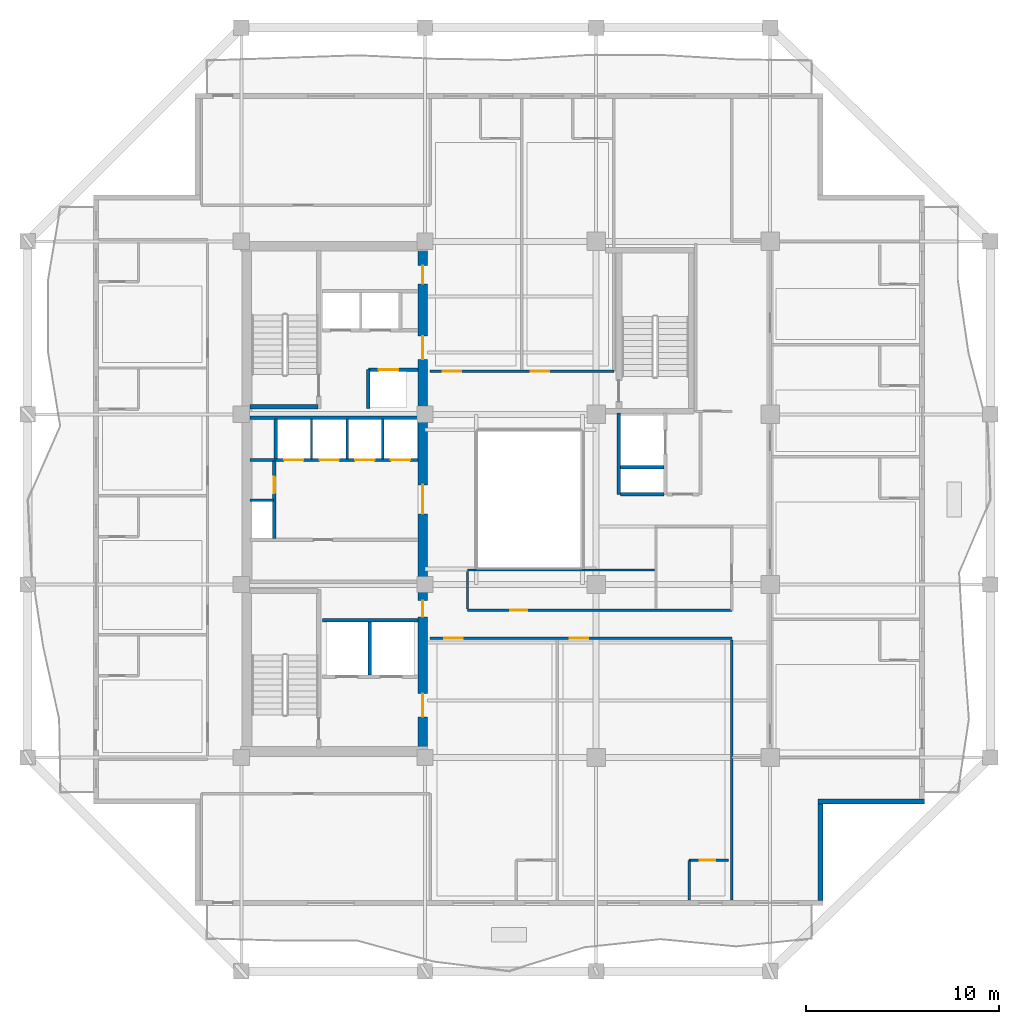
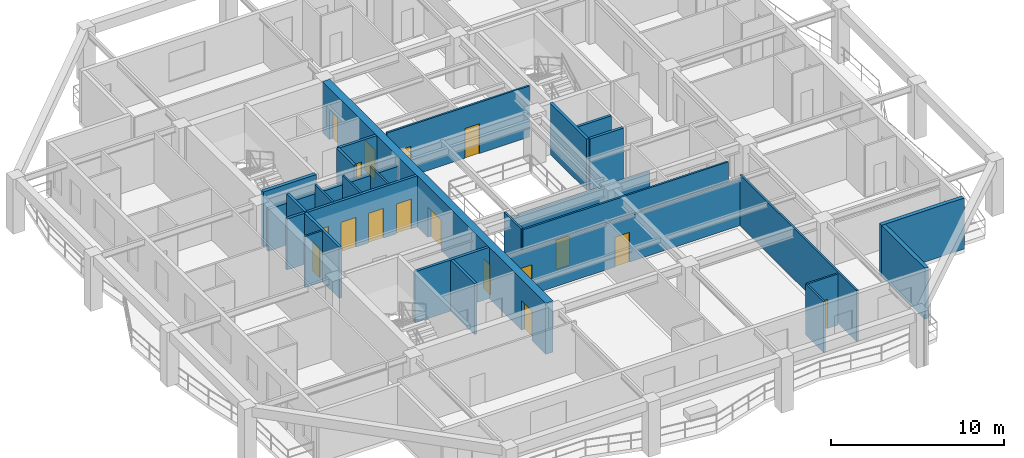
# One storey, part 4 of 13: 27 walls, 17 doors, 17 openings.
"""IFC4 building model written with IfcOpenShell, lengths in metres."""

from ifc_helpers import new_model, si_unit, direction, frame, frame_2d, origin, place, context, subcontext, project, spatial, rectangle, extrude, material, layer, layer_set, type_object, element, fill, save


model = new_model("IFC4")

# Units and contexts
model_context = context("Model", 3, precision=1e-05, world=origin(), true_north=direction((0.0, 1.0)))
body_context = subcontext(model_context, "Body", "Model", "MODEL_VIEW")
ifc_project = project(units=[si_unit("LENGTHUNIT", "METRE"), si_unit("AREAUNIT", "SQUARE_METRE"), si_unit("VOLUMEUNIT", "CUBIC_METRE"), si_unit("PLANEANGLEUNIT", "RADIAN"), si_unit("MASSUNIT", "GRAM", prefix="KILO")], contexts=[model_context])

# Site, building, storey
site_placement = place(None, origin())
site = spatial("IfcSite", under=ifc_project, at=site_placement, CompositionType="ELEMENT")
building_placement = place(site_placement, origin())
building = spatial("IfcBuilding", under=site, at=building_placement, Name="Kundavana Baori Tower", CompositionType="ELEMENT")
storey_placement = place(building_placement, frame((0.0, 0.0, 161.75)))
storey = spatial("IfcBuildingStorey", under=building, at=storey_placement, Name="L39", CompositionType="ELEMENT", Elevation=161.75)

# Wall
ifc_material_1 = material(Name="Concrete C50/60", Category="concrete")
ifc_layer_1 = layer(ifc_material_1, 0.39990234375, Name="WL-CORE-400")
ifc_layer_set_1 = layer_set([ifc_layer_1], Name="Concrete C50/60")
wall_type_1 = type_object("IfcWallType", Name="WL-CORE-400", PredefinedType="SHEAR", material=ifc_layer_set_1)
wall_1_placement = place(storey_placement, frame((15.89990234375, 33.389892578125, 0.0), z_axis=(0.0, 0.0, 1.0), x_axis=(1.0, 0.0, 0.0)))
element("IfcWall", 1, at=wall_1_placement, inside=storey, type_object=wall_type_1, Name="WL-L39-ST2-S", PredefinedType="SHEAR", context=body_context, shape_type="SweptSolid", body=[
    extrude(rectangle(XDim=3.52001953125, YDim=0.239990234375, at=frame_2d((1.760009765625, 0.0))), origin(), (0.0, 0.0, 1.0), 3.85009765625),
])

# Wall, openings, doors
ifc_material_2 = material(Name="Concrete C50/60", Category="concrete")
ifc_layer_2 = layer(ifc_material_2, 0.5, Name="WL-CORE-500")
ifc_layer_set_2 = layer_set([ifc_layer_2], Name="Concrete C50/60")
wall_type_2 = type_object("IfcWallType", Name="WL-CORE-500", PredefinedType="SHEAR", material=ifc_layer_set_2)
wall_2_placement = place(storey_placement, frame((24.830078125, 15.739990234375, 0.0), z_axis=(0.0, 0.0, 1.0), x_axis=(0.0, 1.0, 0.0)))
wall_2 = element("IfcWall", 2, at=wall_2_placement, inside=storey, type_object=wall_type_2, Name="L39 Offset Core East Shear Wall", PredefinedType="SHEAR", context=body_context, shape_type="SweptSolid", body=[
    extrude(rectangle(XDim=25.760009765625, YDim=0.5, at=frame_2d((12.8798828125, 0.0))), origin(), (0.0, 0.0, 1.0), 3.60009765625),
])
opening_1_placement = place(wall_2_placement, frame((1.610107421875, 0.0, 0.0)))
opening_1 = element("IfcOpeningElement", 3, at=opening_1_placement, cuts=wall_2, Name="Opening FD-120", PredefinedType="OPENING", context=body_context, shape_type="SweptSolid", body=[
    extrude(rectangle(XDim=1.199951171875, YDim=2.10009765625, at=frame_2d((0.60009765625, 1.050048828125))), frame((0.0, 0.260009765625, 0.0), z_axis=(0.0, -1.0, 0.0), x_axis=(1.0, 0.0, 0.0)), (0.0, 0.0, 1.0), 0.52001953125),
])
opening_2_placement = place(wall_2_placement, frame((6.780029296875, 0.0, 0.0)))
opening_2 = element("IfcOpeningElement", 4, at=opening_2_placement, cuts=wall_2, Name="Opening FD-085", PredefinedType="OPENING", context=body_context, shape_type="SweptSolid", body=[
    extrude(rectangle(XDim=0.85009765625, YDim=2.06005859375, at=frame_2d((0.425048828125, 1.030029296875))), frame((0.0, 0.260009765625, 0.0), z_axis=(0.0, -1.0, 0.0), x_axis=(1.0, 0.0, 0.0)), (0.0, 0.0, 1.0), 0.52001953125),
])
opening_3_placement = place(wall_2_placement, frame((12.110107421875, 0.0, 0.0)))
opening_3 = element("IfcOpeningElement", 5, at=opening_3_placement, cuts=wall_2, Name="Opening FD-150", PredefinedType="OPENING", context=body_context, shape_type="SweptSolid", body=[
    extrude(rectangle(XDim=1.5, YDim=2.1201171875, at=frame_2d((0.75, 1.06005859375))), frame((0.0, 0.260009765625, 0.0), z_axis=(0.0, -1.0, 0.0), x_axis=(1.0, 0.0, 0.0)), (0.0, 0.0, 1.0), 0.52001953125),
])
opening_4_placement = place(wall_2_placement, frame((20.110107421875, 0.0, 0.0)))
opening_4 = element("IfcOpeningElement", 6, at=opening_4_placement, cuts=wall_2, Name="Opening FD-122", PredefinedType="OPENING", context=body_context, shape_type="SweptSolid", body=[
    extrude(rectangle(XDim=1.199951171875, YDim=2.1201171875, at=frame_2d((0.60009765625, 1.06005859375))), frame((0.0, 0.260009765625, 0.0), z_axis=(0.0, -1.0, 0.0), x_axis=(1.0, 0.0, 0.0)), (0.0, 0.0, 1.0), 0.52001953125),
])
opening_5_placement = place(wall_2_placement, frame((24.010009765625, 0.0, 0.0)))
opening_5 = element("IfcOpeningElement", 7, at=opening_5_placement, cuts=wall_2, Name="Opening FD-095", PredefinedType="OPENING", context=body_context, shape_type="SweptSolid", body=[
    extrude(rectangle(XDim=0.949951171875, YDim=2.10009765625, at=frame_2d((0.47509765625, 1.050048828125))), frame((0.0, 0.260009765625, 0.0), z_axis=(0.0, -1.0, 0.0), x_axis=(1.0, 0.0, 0.0)), (0.0, 0.0, 1.0), 0.52001953125),
])
ifc_material_3 = material(Name="Galvanised Steel Fire-Rated Door Leaf", Category="steel")
door_type_1 = type_object("IfcDoorType", Name="DR-FD120-1200", OperationType="NOTDEFINED", PredefinedType="DOOR", material=ifc_material_3)
door_1_placement = place(opening_1_placement, frame((1.199951171875, 0.0, 0.0), z_axis=(0.0, 0.0, 1.0), x_axis=(-1.0, 0.0, 0.0)))
door_1 = element("IfcDoor", 8, at=door_1_placement, inside=storey, type_object=door_type_1, Name="DR-L39-FFLOB-E", OperationType="SINGLE_SWING_RIGHT", OverallHeight=2.10009765625, OverallWidth=1.199951171875, PredefinedType="DOOR", context=body_context, shape_type="SweptSolid", body=[
    extrude(rectangle(XDim=1.199951171875, YDim=2.10009765625, at=frame_2d((0.60009765625, 1.050048828125))), frame((0.0, 0.02490234375, 0.0), z_axis=(0.0, -1.0, 0.0), x_axis=(1.0, 0.0, 0.0)), (0.0, 0.0, 1.0), 0.050048828125),
])
fill(opening_1, door_1)
ifc_material_4 = material(Name="Galvanised Steel Fire-Rated Door Leaf", Category="steel")
door_type_2 = type_object("IfcDoorType", Name="DR-FD60-1200", OperationType="NOTDEFINED", PredefinedType="DOOR", material=ifc_material_4)
door_2_placement = place(opening_4_placement, frame((1.199951171875, 0.0, 0.0), z_axis=(0.0, 0.0, 1.0), x_axis=(-1.0, 0.0, 0.0)))
door_2 = element("IfcDoor", 9, at=door_2_placement, inside=storey, type_object=door_type_2, Name="DR-L39-HRLOB-E", OperationType="SINGLE_SWING_RIGHT", OverallHeight=2.1201171875, OverallWidth=1.199951171875, PredefinedType="DOOR", context=body_context, shape_type="SweptSolid", body=[
    extrude(rectangle(XDim=1.199951171875, YDim=2.1201171875, at=frame_2d((0.60009765625, 1.06005859375))), frame((0.0, 0.02490234375, 0.0), z_axis=(0.0, -1.0, 0.0), x_axis=(1.0, 0.0, 0.0)), (0.0, 0.0, 1.0), 0.050048828125),
])
fill(opening_4, door_2)
ifc_material_5 = material(Name="Galvanised Steel Fire-Rated Door Leaf", Category="steel")
door_type_3 = type_object("IfcDoorType", Name="DR-FD60-1500", OperationType="NOTDEFINED", PredefinedType="DOOR", material=ifc_material_5)
door_3_placement = place(opening_3_placement, frame((1.5, 0.0, 0.0), z_axis=(0.0, 0.0, 1.0), x_axis=(-1.0, 0.0, 0.0)))
door_3 = element("IfcDoor", 10, at=door_3_placement, inside=storey, type_object=door_type_3, Name="DR-L39-LIFTHALL-E", OperationType="SINGLE_SWING_LEFT", OverallHeight=2.1201171875, OverallWidth=1.5, PredefinedType="DOOR", context=body_context, shape_type="SweptSolid", body=[
    extrude(rectangle(XDim=1.5, YDim=2.1201171875, at=frame_2d((0.75, 1.06005859375))), frame((0.0, 0.02490234375, 0.0), z_axis=(0.0, -1.0, 0.0), x_axis=(1.0, 0.0, 0.0)), (0.0, 0.0, 1.0), 0.050048828125),
])
fill(opening_3, door_3)
ifc_material_6 = material(Name="Galvanised Steel Fire-Rated Door Leaf", Category="steel")
door_type_4 = type_object("IfcDoorType", Name="DR-FD60-850", OperationType="NOTDEFINED", PredefinedType="DOOR", material=ifc_material_6)
door_4_placement = place(opening_2_placement, frame((0.85009765625, 0.0, 0.0), z_axis=(0.0, 0.0, 1.0), x_axis=(-1.0, 0.0, 0.0)))
door_4 = element("IfcDoor", 11, at=door_4_placement, inside=storey, type_object=door_type_4, Name="DR-L39-CSMK1", OperationType="SINGLE_SWING_LEFT", OverallHeight=2.06005859375, OverallWidth=0.85009765625, PredefinedType="DOOR", context=body_context, shape_type="SweptSolid", body=[
    extrude(rectangle(XDim=0.85009765625, YDim=2.06005859375, at=frame_2d((0.425048828125, 1.030029296875))), frame((0.0, 0.02490234375, 0.0), z_axis=(0.0, -1.0, 0.0), x_axis=(1.0, 0.0, 0.0)), (0.0, 0.0, 1.0), 0.050048828125),
])
fill(opening_2, door_4)
ifc_material_7 = material(Name="Engineered Teak Fire-Rated Timber Door Leaf", Category="wood")
door_type_5 = type_object("IfcDoorType", Name="DR-FD60-950", OperationType="NOTDEFINED", PredefinedType="DOOR", material=ifc_material_7)
door_5_placement = place(opening_5_placement, frame((0.949951171875, 0.0, 0.0), z_axis=(0.0, 0.0, 1.0), x_axis=(-1.0, 0.0, 0.0)))
door_5 = element("IfcDoor", 12, at=door_5_placement, inside=storey, type_object=door_type_5, Name="DR-L39-CSRV1", OperationType="SINGLE_SWING_LEFT", OverallHeight=2.10009765625, OverallWidth=0.949951171875, PredefinedType="DOOR", context=body_context, shape_type="SweptSolid", body=[
    extrude(rectangle(XDim=0.949951171875, YDim=2.10009765625, at=frame_2d((0.47509765625, 1.050048828125))), frame((0.0, 0.02490234375, 0.0), z_axis=(0.0, -1.0, 0.0), x_axis=(1.0, 0.0, 0.0)), (0.0, 0.0, 1.0), 0.050048828125),
])
fill(opening_5, door_5)

# Walls
ifc_material_8 = material(Name="Kiln-Fired Terracotta Brick-Slip Masonry on Concrete C40/50", Category="masonry")
ifc_layer_3 = layer(ifc_material_8, 0.260009765625, Name="WL-EXT-BRK-260")
ifc_layer_set_3 = layer_set([ifc_layer_3], Name="Kiln-Fired Terracotta Brick-Slip Masonry on Concrete C40/50")
wall_type_3 = type_object("IfcWallType", Name="WL-EXT-BRK-260", PredefinedType="SOLIDWALL", material=ifc_layer_set_3)
wall_3_placement = place(storey_placement, frame((45.419921875, 7.860107421875, 0.0), z_axis=(0.0, 0.0, 1.0), x_axis=(0.0, 1.0, 0.0)))
element("IfcWall", 13, at=wall_3_placement, inside=storey, type_object=wall_type_3, Name="L39 Exterior Insulated Facade Wall 02", PredefinedType="SOLIDWALL", context=body_context, shape_type="SweptSolid", body=[
    extrude(rectangle(XDim=4.989990234375, YDim=0.260009765625, at=frame_2d((2.4951171875, 0.0))), origin(), (0.0, 0.0, 1.0), 3.60009765625),
])
wall_4_placement = place(storey_placement, frame((45.2900390625, 12.97998046875, 0.0), z_axis=(0.0, 0.0, 1.0), x_axis=(1.0, 0.0, 0.0)))
element("IfcWall", 14, at=wall_4_placement, inside=storey, type_object=wall_type_3, Name="L39 Exterior Insulated Facade Wall 03", PredefinedType="SOLIDWALL", context=body_context, shape_type="SweptSolid", body=[
    extrude(rectangle(XDim=5.510009765625, YDim=0.260009765625, at=frame_2d((2.7548828125, 0.0))), origin(), (0.0, 0.0, 1.0), 3.60009765625),
])
ifc_material_9 = material(Name="Acoustic Gypsum Plasterboard on Galvanised Steel Studs", Category="steel")
ifc_layer_4 = layer(ifc_material_9, 0.1201171875, Name="WL-PART-120")
ifc_layer_set_4 = layer_set([ifc_layer_4], Name="Acoustic Gypsum Plasterboard on Galvanised Steel Studs")
wall_type_4 = type_object("IfcWallType", Name="WL-PART-120", PredefinedType="PARTITIONING", material=ifc_layer_set_4)
wall_5_placement = place(storey_placement, frame((15.89990234375, 28.56005859375, 0.0), z_axis=(0.0, 0.0, 1.0), x_axis=(1.0, 0.0, 0.0)))
element("IfcWall", 15, at=wall_5_placement, inside=storey, type_object=wall_type_4, Name="WL-L39-RSRW-N", PredefinedType="PARTITIONING", context=body_context, shape_type="SweptSolid", body=[
    extrude(rectangle(XDim=1.2001953125, YDim=0.1201171875, at=frame_2d((0.60009765625, 0.0))), origin(), (0.0, 0.0, 1.0), 3.60009765625),
])
for number, where, z_axis, x_axis, name in (
    (16, (19.080078125, 30.699951171875, 0.0), (0.0, 0.0, 1.0), (0.0, 1.0, 0.0), "WL-L39-LPMID-D1"),
    (17, (20.919921875, 30.699951171875, 0.0), (0.0, 0.0, 1.0), (0.0, 1.0, 0.0), "WL-L39-LPMID-D2"),
    (18, (22.760009765625, 30.699951171875, 0.0), (0.0, 0.0, 1.0), (0.0, 1.0, 0.0), "WL-L39-LPMID-D3"),
):
    element("IfcWall", number, at=place(storey_placement, frame(where, z_axis=z_axis, x_axis=x_axis)), inside=storey, type_object=wall_type_4, Name=name, PredefinedType="PARTITIONING", context=body_context, shape_type="SweptSolid", body=[
        extrude(rectangle(XDim=2.050048828125, YDim=0.1201171875, at=frame_2d((1.02490234375, 0.0))), origin(), (0.0, 0.0, 1.0), 3.60009765625),
    ])
ifc_material_10 = material(Name="Autoclaved Aerated Concrete Blockwork Masonry", Category="masonry")
ifc_layer_5 = layer(ifc_material_10, 0.179931640625, Name="WL-SHAFT-180")
ifc_layer_set_5 = layer_set([ifc_layer_5], Name="Autoclaved Aerated Concrete Blockwork Masonry")
wall_type_5 = type_object("IfcWallType", Name="WL-SHAFT-180", PredefinedType="SOLIDWALL", material=ifc_layer_set_5)
wall_6_placement = place(storey_placement, frame((22.10009765625, 19.510009765625, 0.0), z_axis=(0.0, 0.0, 1.0), x_axis=(0.0, 1.0, 0.0)))
element("IfcWall", 19, at=wall_6_placement, inside=storey, type_object=wall_type_5, Name="WL-L39-FFL-MID", PredefinedType="SOLIDWALL", context=body_context, shape_type="SweptSolid", body=[
    extrude(rectangle(XDim=2.739990234375, YDim=0.179931640625, at=frame_2d((1.3701171875, 0.0))), origin(), (0.0, 0.0, 1.0), 3.60009765625),
])
wall_7_placement = place(storey_placement, frame((19.639892578125, 22.340087890625, 0.0), z_axis=(0.0, 0.0, 1.0), x_axis=(1.0, 0.0, 0.0)))
element("IfcWall", 20, at=wall_7_placement, inside=storey, type_object=wall_type_5, Name="WL-L39-FFL-N", PredefinedType="SOLIDWALL", context=body_context, shape_type="SweptSolid", body=[
    extrude(rectangle(XDim=4.940185546875, YDim=0.179931640625, at=frame_2d((2.47021484375, 0.0))), origin(), (0.0, 0.0, 1.0), 3.60009765625),
])

# Wall, opening, door
wall_8_placement = place(storey_placement, frame((17.159912109375, 26.580078125, 0.0), z_axis=(0.0, 0.0, 1.0), x_axis=(0.0, 1.0, 0.0)))
wall_8 = element("IfcWall", 21, at=wall_8_placement, inside=storey, type_object=wall_type_5, Name="WL-L39-RSRW-E", PredefinedType="SOLIDWALL", context=body_context, shape_type="SweptSolid", body=[
    extrude(rectangle(XDim=4.02001953125, YDim=0.179931640625, at=frame_2d((2.010009765625, 0.0))), origin(), (0.0, 0.0, 1.0), 3.60009765625),
])
opening_6_placement = place(wall_8_placement, frame((2.35009765625, 0.0, 0.0)))
opening_6 = element("IfcOpeningElement", 22, at=opening_6_placement, cuts=wall_8, Name="Opening FD-085", PredefinedType="OPENING", context=body_context, shape_type="SweptSolid", body=[
    extrude(rectangle(XDim=0.85009765625, YDim=2.06005859375, at=frame_2d((0.425048828125, 1.030029296875))), frame((0.0, 0.10009765625, 0.0), z_axis=(0.0, -1.0, 0.0), x_axis=(1.0, 0.0, 0.0)), (0.0, 0.0, 1.0), 0.199951171875),
])
door_6_placement = place(opening_6_placement, origin())
door_6 = element("IfcDoor", 23, at=door_6_placement, inside=storey, type_object=door_type_4, Name="DR-L39-CLN", OperationType="SINGLE_SWING_RIGHT", OverallHeight=2.06005859375, OverallWidth=0.85009765625, PredefinedType="DOOR", context=body_context, shape_type="SweptSolid", body=[
    extrude(rectangle(XDim=0.85009765625, YDim=2.06005859375, at=frame_2d((0.425048828125, 1.030029296875))), frame((0.0, 0.02490234375, 0.0), z_axis=(0.0, -1.0, 0.0), x_axis=(1.0, 0.0, 0.0)), (0.0, 0.0, 1.0), 0.050048828125),
])
fill(opening_6, door_6)

# Wall, openings, doors
wall_9_placement = place(storey_placement, frame((15.89990234375, 30.639892578125, 0.0), z_axis=(0.0, 0.0, 1.0), x_axis=(1.0, 0.0, 0.0)))
wall_9 = element("IfcWall", 24, at=wall_9_placement, inside=storey, type_object=wall_type_5, Name="WL-L39-LPMID-S", PredefinedType="SOLIDWALL", context=body_context, shape_type="SweptSolid", body=[
    extrude(rectangle(XDim=8.68017578125, YDim=0.179931640625, at=frame_2d((4.340087890625, 0.0))), origin(), (0.0, 0.0, 1.0), 3.60009765625),
])
opening_7_placement = place(wall_9_placement, frame((1.760009765625, 0.0, 0.0)))
opening_7 = element("IfcOpeningElement", 25, at=opening_7_placement, cuts=wall_9, Name="Opening LD-100", PredefinedType="OPENING", context=body_context, shape_type="SweptSolid", body=[
    extrude(rectangle(XDim=1.0, YDim=2.10009765625, at=frame_2d((0.5, 1.050048828125))), frame((0.0, 0.10009765625, 0.0), z_axis=(0.0, -1.0, 0.0), x_axis=(1.0, 0.0, 0.0)), (0.0, 0.0, 1.0), 0.199951171875),
])
opening_8_placement = place(wall_9_placement, frame((3.60009765625, 0.0, 0.0)))
opening_8 = element("IfcOpeningElement", 26, at=opening_8_placement, cuts=wall_9, Name="Opening LD-100", PredefinedType="OPENING", context=body_context, shape_type="SweptSolid", body=[
    extrude(rectangle(XDim=1.0, YDim=2.10009765625, at=frame_2d((0.5, 1.050048828125))), frame((0.0, 0.10009765625, 0.0), z_axis=(0.0, -1.0, 0.0), x_axis=(1.0, 0.0, 0.0)), (0.0, 0.0, 1.0), 0.199951171875),
])
opening_9_placement = place(wall_9_placement, frame((5.43994140625, 0.0, 0.0)))
opening_9 = element("IfcOpeningElement", 27, at=opening_9_placement, cuts=wall_9, Name="Opening LD-100", PredefinedType="OPENING", context=body_context, shape_type="SweptSolid", body=[
    extrude(rectangle(XDim=1.0, YDim=2.10009765625, at=frame_2d((0.5, 1.050048828125))), frame((0.0, 0.10009765625, 0.0), z_axis=(0.0, -1.0, 0.0), x_axis=(1.0, 0.0, 0.0)), (0.0, 0.0, 1.0), 0.199951171875),
])
opening_10_placement = place(wall_9_placement, frame((7.280029296875, 0.0, 0.0)))
opening_10 = element("IfcOpeningElement", 28, at=opening_10_placement, cuts=wall_9, Name="Opening LD-100", PredefinedType="OPENING", context=body_context, shape_type="SweptSolid", body=[
    extrude(rectangle(XDim=1.0, YDim=2.10009765625, at=frame_2d((0.5, 1.050048828125))), frame((0.0, 0.10009765625, 0.0), z_axis=(0.0, -1.0, 0.0), x_axis=(1.0, 0.0, 0.0)), (0.0, 0.0, 1.0), 0.199951171875),
])
ifc_material_11 = material(Name="Galvanised Steel Fire-Rated Door Leaf", Category="steel")
door_type_6 = type_object("IfcDoorType", Name="DR-SLIDE-LD1000", OperationType="NOTDEFINED", PredefinedType="DOOR", material=ifc_material_11)
door_7_placement = place(opening_7_placement, frame((1.0, 0.0, 0.0), z_axis=(0.0, 0.0, 1.0), x_axis=(-1.0, 0.0, 0.0)))
door_7 = element("IfcDoor", 29, at=door_7_placement, inside=storey, type_object=door_type_6, Name="DR-L39-LD-LP-05", OperationType="DOUBLE_DOOR_SLIDING", OverallHeight=2.10009765625, OverallWidth=1.0, PredefinedType="DOOR", context=body_context, shape_type="SweptSolid", body=[
    extrude(rectangle(XDim=1.0, YDim=2.10009765625, at=frame_2d((0.5, 1.050048828125))), frame((0.0, 0.02490234375, 0.0), z_axis=(0.0, -1.0, 0.0), x_axis=(1.0, 0.0, 0.0)), (0.0, 0.0, 1.0), 0.050048828125),
])
fill(opening_7, door_7)
door_8_placement = place(opening_8_placement, frame((1.0, 0.0, 0.0), z_axis=(0.0, 0.0, 1.0), x_axis=(-1.0, 0.0, 0.0)))
door_8 = element("IfcDoor", 30, at=door_8_placement, inside=storey, type_object=door_type_6, Name="DR-L39-LD-LP-06", OperationType="DOUBLE_DOOR_SLIDING", OverallHeight=2.10009765625, OverallWidth=1.0, PredefinedType="DOOR", context=body_context, shape_type="SweptSolid", body=[
    extrude(rectangle(XDim=1.0, YDim=2.10009765625, at=frame_2d((0.5, 1.050048828125))), frame((0.0, 0.02490234375, 0.0), z_axis=(0.0, -1.0, 0.0), x_axis=(1.0, 0.0, 0.0)), (0.0, 0.0, 1.0), 0.050048828125),
])
fill(opening_8, door_8)
door_9_placement = place(opening_9_placement, frame((1.0, 0.0, 0.0), z_axis=(0.0, 0.0, 1.0), x_axis=(-1.0, 0.0, 0.0)))
door_9 = element("IfcDoor", 31, at=door_9_placement, inside=storey, type_object=door_type_6, Name="DR-L39-LD-LP-07", OperationType="DOUBLE_DOOR_SLIDING", OverallHeight=2.10009765625, OverallWidth=1.0, PredefinedType="DOOR", context=body_context, shape_type="SweptSolid", body=[
    extrude(rectangle(XDim=1.0, YDim=2.10009765625, at=frame_2d((0.5, 1.050048828125))), frame((0.0, 0.02490234375, 0.0), z_axis=(0.0, -1.0, 0.0), x_axis=(1.0, 0.0, 0.0)), (0.0, 0.0, 1.0), 0.050048828125),
])
fill(opening_9, door_9)
door_10_placement = place(opening_10_placement, frame((1.0, 0.0, 0.0), z_axis=(0.0, 0.0, 1.0), x_axis=(-1.0, 0.0, 0.0)))
door_10 = element("IfcDoor", 32, at=door_10_placement, inside=storey, type_object=door_type_6, Name="DR-L39-LD-LP-08", OperationType="DOUBLE_DOOR_SLIDING", OverallHeight=2.10009765625, OverallWidth=1.0, PredefinedType="DOOR", context=body_context, shape_type="SweptSolid", body=[
    extrude(rectangle(XDim=1.0, YDim=2.10009765625, at=frame_2d((0.5, 1.050048828125))), frame((0.0, 0.02490234375, 0.0), z_axis=(0.0, -1.0, 0.0), x_axis=(1.0, 0.0, 0.0)), (0.0, 0.0, 1.0), 0.050048828125),
])
fill(opening_10, door_10)

# Walls
wall_10_placement = place(storey_placement, frame((15.89990234375, 32.820068359375, 0.0), z_axis=(0.0, 0.0, 1.0), x_axis=(1.0, 0.0, 0.0)))
element("IfcWall", 33, at=wall_10_placement, inside=storey, type_object=wall_type_5, Name="WL-L39-LPMID-N", PredefinedType="SOLIDWALL", context=body_context, shape_type="SweptSolid", body=[
    extrude(rectangle(XDim=8.68017578125, YDim=0.179931640625, at=frame_2d((4.340087890625, 0.0))), origin(), (0.0, 0.0, 1.0), 2.949951171875),
])
wall_11_placement = place(storey_placement, frame((17.219970703125, 30.699951171875, 0.0), z_axis=(0.0, 0.0, 1.0), x_axis=(0.0, 1.0, 0.0)))
element("IfcWall", 34, at=wall_11_placement, inside=storey, type_object=wall_type_5, Name="WL-L39-LPMID-W", PredefinedType="SOLIDWALL", context=body_context, shape_type="SweptSolid", body=[
    extrude(rectangle(XDim=2.050048828125, YDim=0.179931640625, at=frame_2d((1.02490234375, 0.0))), origin(), (0.0, 0.0, 1.0), 3.60009765625),
])

# Wall, opening, door
wall_12_placement = place(storey_placement, frame((22.02001953125, 35.31005859375, 0.0), z_axis=(0.0, 0.0, 1.0), x_axis=(1.0, 0.0, 0.0)))
wall_12 = element("IfcWall", 35, at=wall_12_placement, inside=storey, type_object=wall_type_5, Name="WL-L39-LP11-N", PredefinedType="SOLIDWALL", context=body_context, shape_type="SweptSolid", body=[
    extrude(rectangle(XDim=2.56005859375, YDim=0.179931640625, at=frame_2d((1.280029296875, 0.0))), origin(), (0.0, 0.0, 1.0), 3.60009765625),
])
opening_11_placement = place(wall_12_placement, frame((0.550048828125, 0.0, 0.0)))
opening_11 = element("IfcOpeningElement", 36, at=opening_11_placement, cuts=wall_12, Name="Opening LD-100", PredefinedType="OPENING", context=body_context, shape_type="SweptSolid", body=[
    extrude(rectangle(XDim=1.0, YDim=2.10009765625, at=frame_2d((0.5, 1.050048828125))), frame((0.0, 0.10009765625, 0.0), z_axis=(0.0, -1.0, 0.0), x_axis=(1.0, 0.0, 0.0)), (0.0, 0.0, 1.0), 0.199951171875),
])
door_11_placement = place(opening_11_placement, origin())
door_11 = element("IfcDoor", 37, at=door_11_placement, inside=storey, type_object=door_type_6, Name="DR-L39-LD-LP11", OperationType="DOUBLE_DOOR_SLIDING", OverallHeight=2.10009765625, OverallWidth=1.0, PredefinedType="DOOR", context=body_context, shape_type="SweptSolid", body=[
    extrude(rectangle(XDim=1.0, YDim=2.10009765625, at=frame_2d((0.5, 1.050048828125))), frame((0.0, 0.02490234375, 0.0), z_axis=(0.0, -1.0, 0.0), x_axis=(1.0, 0.0, 0.0)), (0.0, 0.0, 1.0), 0.050048828125),
])
fill(opening_11, door_11)

# Walls
wall_13_placement = place(storey_placement, frame((22.02001953125, 33.300048828125, 0.0), z_axis=(0.0, 0.0, 1.0), x_axis=(0.0, 1.0, 0.0)))
element("IfcWall", 38, at=wall_13_placement, inside=storey, type_object=wall_type_5, Name="WL-L39-LP11-W", PredefinedType="SOLIDWALL", context=body_context, shape_type="SweptSolid", body=[
    extrude(rectangle(XDim=2.010009765625, YDim=0.179931640625, at=frame_2d((1.0048828125, 0.0))), origin(), (0.0, 0.0, 1.0), 3.60009765625),
])
wall_14_placement = place(storey_placement, frame((34.9599609375, 28.860107421875, 0.0), z_axis=(0.0, 0.0, 1.0), x_axis=(0.0, 1.0, 0.0)))
element("IfcWall", 39, at=wall_14_placement, inside=storey, type_object=wall_type_5, Name="WL-L39-SVL-W", PredefinedType="SOLIDWALL", context=body_context, shape_type="SweptSolid", body=[
    extrude(rectangle(XDim=4.219970703125, YDim=0.179931640625, at=frame_2d((2.10986328125, 0.0))), origin(), (0.0, 0.0, 1.0), 3.60009765625),
])
for number, where, z_axis, x_axis, name in (
    (40, (35.050048828125, 28.860107421875, 0.0), (0.0, 0.0, 1.0), (1.0, 0.0, 0.0), "WL-L39-SVL-S"),
    (41, (35.050048828125, 30.27001953125, 0.0), (0.0, 0.0, 1.0), (1.0, 0.0, 0.0), "WL-L39-SVL-M"),
):
    element("IfcWall", number, at=place(storey_placement, frame(where, z_axis=z_axis, x_axis=x_axis)), inside=storey, type_object=wall_type_5, Name=name, PredefinedType="SOLIDWALL", context=body_context, shape_type="SweptSolid", body=[
        extrude(rectangle(XDim=2.25, YDim=0.179931640625, at=frame_2d((1.125, 0.0))), origin(), (0.0, 0.0, 1.0), 3.60009765625),
    ])

# Wall, openings, doors
ifc_material_12 = material(Name="Autoclaved Aerated Concrete Blockwork Masonry", Category="masonry")
ifc_layer_6 = layer(ifc_material_12, 0.125, Name="WL-WET-120")
ifc_layer_set_6 = layer_set([ifc_layer_6], Name="Autoclaved Aerated Concrete Blockwork Masonry")
wall_type_6 = type_object("IfcWallType", Name="WL-WET-120", PredefinedType="PLUMBINGWALL", material=ifc_layer_set_6)
wall_15_placement = place(storey_placement, frame((25.219970703125, 21.419921875, 0.0), z_axis=(0.0, 0.0, 1.0), x_axis=(1.0, 0.0, 0.0)))
wall_15 = element("IfcWall", 42, at=wall_15_placement, inside=storey, type_object=wall_type_6, Name="WL-L39-HS", PredefinedType="PLUMBINGWALL", context=body_context, shape_type="SweptSolid", body=[
    extrude(rectangle(XDim=15.60009765625, YDim=0.125, at=frame_2d((7.800048828125, 0.0))), origin(), (0.0, 0.0, 1.0), 3.25),
])
opening_12_placement = place(wall_15_placement, frame((0.72998046875, 0.0, 0.0)))
opening_12 = element("IfcOpeningElement", 43, at=opening_12_placement, cuts=wall_15, Name="Opening FD-095", PredefinedType="OPENING", context=body_context, shape_type="SweptSolid", body=[
    extrude(rectangle(XDim=0.949951171875, YDim=2.10009765625, at=frame_2d((0.47509765625, 1.050048828125))), frame((0.0, 0.072509765625, 0.0), z_axis=(0.0, -1.0, 0.0), x_axis=(1.0, 0.0, 0.0)), (0.0, 0.0, 1.0), 0.14501953125),
])
opening_13_placement = place(wall_15_placement, frame((7.22998046875, 0.0, 0.0)))
opening_13 = element("IfcOpeningElement", 44, at=opening_13_placement, cuts=wall_15, Name="Opening FD-095", PredefinedType="OPENING", context=body_context, shape_type="SweptSolid", body=[
    extrude(rectangle(XDim=0.949951171875, YDim=2.10009765625, at=frame_2d((0.47509765625, 1.050048828125))), frame((0.0, 0.072509765625, 0.0), z_axis=(0.0, -1.0, 0.0), x_axis=(1.0, 0.0, 0.0)), (0.0, 0.0, 1.0), 0.14501953125),
])
door_12_placement = place(opening_12_placement, frame((0.949951171875, 0.0, 0.0), z_axis=(0.0, 0.0, 1.0), x_axis=(-1.0, 0.0, 0.0)))
door_12 = element("IfcDoor", 45, at=door_12_placement, inside=storey, type_object=door_type_5, Name="DR-L39-HK-S1-ENT", OperationType="SINGLE_SWING_RIGHT", OverallHeight=2.10009765625, OverallWidth=0.949951171875, PredefinedType="DOOR", context=body_context, shape_type="SweptSolid", body=[
    extrude(rectangle(XDim=0.949951171875, YDim=2.10009765625, at=frame_2d((0.47509765625, 1.050048828125))), frame((0.0, 0.02490234375, 0.0), z_axis=(0.0, -1.0, 0.0), x_axis=(1.0, 0.0, 0.0)), (0.0, 0.0, 1.0), 0.050048828125),
])
fill(opening_12, door_12)
door_13_placement = place(opening_13_placement, frame((0.949951171875, 0.0, 0.0), z_axis=(0.0, 0.0, 1.0), x_axis=(-1.0, 0.0, 0.0)))
door_13 = element("IfcDoor", 46, at=door_13_placement, inside=storey, type_object=door_type_5, Name="DR-L39-HK-S2-ENT", OperationType="SINGLE_SWING_RIGHT", OverallHeight=2.10009765625, OverallWidth=0.949951171875, PredefinedType="DOOR", context=body_context, shape_type="SweptSolid", body=[
    extrude(rectangle(XDim=0.949951171875, YDim=2.10009765625, at=frame_2d((0.47509765625, 1.050048828125))), frame((0.0, 0.02490234375, 0.0), z_axis=(0.0, -1.0, 0.0), x_axis=(1.0, 0.0, 0.0)), (0.0, 0.0, 1.0), 0.050048828125),
])
fill(opening_13, door_13)

# Wall, opening, door
wall_16_placement = place(storey_placement, frame((27.14990234375, 22.860107421875, 0.0), z_axis=(0.0, 0.0, 1.0), x_axis=(1.0, 0.0, 0.0)))
wall_16 = element("IfcWall", 47, at=wall_16_placement, inside=storey, type_object=wall_type_6, Name="WL-L39-HST", PredefinedType="PLUMBINGWALL", context=body_context, shape_type="SweptSolid", body=[
    extrude(rectangle(XDim=13.670166015625, YDim=0.125, at=frame_2d((6.8349609375, 0.0))), origin(), (0.0, 0.0, 1.0), 3.60009765625),
])
opening_14_placement = place(wall_16_placement, frame((2.199951171875, 0.0, 0.0)))
opening_14 = element("IfcOpeningElement", 48, at=opening_14_placement, cuts=wall_16, Name="Opening ID-090", PredefinedType="OPENING", context=body_context, shape_type="SweptSolid", body=[
    extrude(rectangle(XDim=0.89990234375, YDim=2.080078125, at=frame_2d((0.449951171875, 1.0400390625))), frame((0.0, 0.072509765625, 0.0), z_axis=(0.0, -1.0, 0.0), x_axis=(1.0, 0.0, 0.0)), (0.0, 0.0, 1.0), 0.14501953125),
])
ifc_material_13 = material(Name="Engineered Teak Solid-Core Timber Veneer", Category="wood")
door_type_7 = type_object("IfcDoorType", Name="DR-INT-900", OperationType="NOTDEFINED", PredefinedType="DOOR", material=ifc_material_13)
door_14_placement = place(opening_14_placement, origin())
door_14 = element("IfcDoor", 49, at=door_14_placement, inside=storey, type_object=door_type_7, Name="DR-L39-HPNT", OperationType="SINGLE_SWING_LEFT", OverallHeight=2.080078125, OverallWidth=0.89990234375, PredefinedType="DOOR", context=body_context, shape_type="SweptSolid", body=[
    extrude(rectangle(XDim=0.89990234375, YDim=2.080078125, at=frame_2d((0.449951171875, 1.0400390625))), frame((0.0, 0.02490234375, 0.0), z_axis=(0.0, -1.0, 0.0), x_axis=(1.0, 0.0, 0.0)), (0.0, 0.0, 1.0), 0.050048828125),
])
fill(opening_14, door_14)

# Wall, openings, doors
wall_17_placement = place(storey_placement, frame((25.219970703125, 35.219970703125, 0.0), z_axis=(0.0, 0.0, 1.0), x_axis=(1.0, 0.0, 0.0)))
wall_17 = element("IfcWall", 50, at=wall_17_placement, inside=storey, type_object=wall_type_6, Name="WL-L39-HN", PredefinedType="PLUMBINGWALL", context=body_context, shape_type="SweptSolid", body=[
    extrude(rectangle(XDim=9.5, YDim=0.125, at=frame_2d((4.75, 0.0))), origin(), (0.0, 0.0, 1.0), 3.60009765625),
])
opening_15_placement = place(wall_17_placement, frame((0.64990234375, 0.0, 0.0)))
opening_15 = element("IfcOpeningElement", 51, at=opening_15_placement, cuts=wall_17, Name="Opening FD-095", PredefinedType="OPENING", context=body_context, shape_type="SweptSolid", body=[
    extrude(rectangle(XDim=0.949951171875, YDim=2.10009765625, at=frame_2d((0.47509765625, 1.050048828125))), frame((0.0, 0.072509765625, 0.0), z_axis=(0.0, -1.0, 0.0), x_axis=(1.0, 0.0, 0.0)), (0.0, 0.0, 1.0), 0.14501953125),
])
opening_16_placement = place(wall_17_placement, frame((5.199951171875, 0.0, 0.0)))
opening_16 = element("IfcOpeningElement", 52, at=opening_16_placement, cuts=wall_17, Name="Opening FD-095", PredefinedType="OPENING", context=body_context, shape_type="SweptSolid", body=[
    extrude(rectangle(XDim=0.949951171875, YDim=2.10009765625, at=frame_2d((0.47509765625, 1.050048828125))), frame((0.0, 0.072509765625, 0.0), z_axis=(0.0, -1.0, 0.0), x_axis=(1.0, 0.0, 0.0)), (0.0, 0.0, 1.0), 0.14501953125),
])
door_15_placement = place(opening_15_placement, origin())
door_15 = element("IfcDoor", 53, at=door_15_placement, inside=storey, type_object=door_type_5, Name="DR-L39-HK-N1-ENT", OperationType="SINGLE_SWING_LEFT", OverallHeight=2.10009765625, OverallWidth=0.949951171875, PredefinedType="DOOR", context=body_context, shape_type="SweptSolid", body=[
    extrude(rectangle(XDim=0.949951171875, YDim=2.10009765625, at=frame_2d((0.47509765625, 1.050048828125))), frame((0.0, 0.02490234375, 0.0), z_axis=(0.0, -1.0, 0.0), x_axis=(1.0, 0.0, 0.0)), (0.0, 0.0, 1.0), 0.050048828125),
])
fill(opening_15, door_15)
door_16_placement = place(opening_16_placement, origin())
door_16 = element("IfcDoor", 54, at=door_16_placement, inside=storey, type_object=door_type_5, Name="DR-L39-HK-N2-ENT", OperationType="SINGLE_SWING_RIGHT", OverallHeight=2.10009765625, OverallWidth=0.949951171875, PredefinedType="DOOR", context=body_context, shape_type="SweptSolid", body=[
    extrude(rectangle(XDim=0.949951171875, YDim=2.10009765625, at=frame_2d((0.47509765625, 1.050048828125))), frame((0.0, 0.02490234375, 0.0), z_axis=(0.0, -1.0, 0.0), x_axis=(1.0, 0.0, 0.0)), (0.0, 0.0, 1.0), 0.050048828125),
])
fill(opening_16, door_16)

# Walls
wall_18_placement = place(storey_placement, frame((27.14990234375, 24.949951171875, 0.0), z_axis=(0.0, 0.0, 1.0), x_axis=(1.0, 0.0, 0.0)))
element("IfcWall", 55, at=wall_18_placement, inside=storey, type_object=wall_type_6, Name="WL-L39-HPN1", PredefinedType="PLUMBINGWALL", context=body_context, shape_type="SweptSolid", body=[
    extrude(rectangle(XDim=9.670166015625, YDim=0.125, at=frame_2d((4.8349609375, 0.0))), origin(), (0.0, 0.0, 1.0), 3.050048828125),
])
wall_19_placement = place(storey_placement, frame((27.14990234375, 22.93994140625, 0.0), z_axis=(0.0, 0.0, 1.0), x_axis=(0.0, 1.0, 0.0)))
element("IfcWall", 56, at=wall_19_placement, inside=storey, type_object=wall_type_6, Name="WL-L39-HPN2", PredefinedType="PLUMBINGWALL", context=body_context, shape_type="SweptSolid", body=[
    extrude(rectangle(XDim=1.93994140625, YDim=0.125, at=frame_2d((0.969970703125, 0.0))), origin(), (0.0, 0.0, 1.0), 3.60009765625),
])
wall_20_placement = place(storey_placement, frame((40.820068359375, 7.8798828125, 0.0), z_axis=(0.0, 0.0, 1.0), x_axis=(0.0, 1.0, 0.0)))
element("IfcWall", 57, at=wall_20_placement, inside=storey, type_object=wall_type_6, Name="WL-L39-HSEND", PredefinedType="PLUMBINGWALL", context=body_context, shape_type="SweptSolid", body=[
    extrude(rectangle(XDim=13.460205078125, YDim=0.125, at=frame_2d((6.72998046875, 0.0))), origin(), (0.0, 0.0, 1.0), 3.60009765625),
])
wall_21_placement = place(storey_placement, frame((38.610107421875, 7.8798828125, 0.0), z_axis=(0.0, 0.0, 1.0), x_axis=(0.0, 1.0, 0.0)))
element("IfcWall", 58, at=wall_21_placement, inside=storey, type_object=wall_type_6, Name="WL-L39-HK-S2-BW", PredefinedType="PLUMBINGWALL", context=body_context, shape_type="SweptSolid", body=[
    extrude(rectangle(XDim=2.050048828125, YDim=0.125, at=frame_2d((1.02490234375, 0.0))), origin(), (0.0, 0.0, 1.0), 3.60009765625),
])

# Wall, opening, door
wall_22_placement = place(storey_placement, frame((38.610107421875, 9.929931640625, 0.0), z_axis=(0.0, 0.0, 1.0), x_axis=(1.0, 0.0, 0.0)))
wall_22 = element("IfcWall", 59, at=wall_22_placement, inside=storey, type_object=wall_type_6, Name="WL-L39-HK-S2-BN", PredefinedType="PLUMBINGWALL", context=body_context, shape_type="SweptSolid", body=[
    extrude(rectangle(XDim=2.0498046875, YDim=0.125, at=frame_2d((1.02490234375, 0.0))), origin(), (0.0, 0.0, 1.0), 3.60009765625),
])
opening_17_placement = place(wall_22_placement, frame((0.550048828125, 0.0, 0.0)))
opening_17 = element("IfcOpeningElement", 60, at=opening_17_placement, cuts=wall_22, Name="Opening WD-080", PredefinedType="OPENING", context=body_context, shape_type="SweptSolid", body=[
    extrude(rectangle(XDim=0.800048828125, YDim=2.050048828125, at=frame_2d((0.39990234375, 1.02490234375))), frame((0.0, 0.072509765625, 0.0), z_axis=(0.0, -1.0, 0.0), x_axis=(1.0, 0.0, 0.0)), (0.0, 0.0, 1.0), 0.14501953125),
])
ifc_material_14 = material(Name="Engineered Teak Solid-Core Timber Veneer", Category="wood")
door_type_8 = type_object("IfcDoorType", Name="DR-WET-800", OperationType="NOTDEFINED", PredefinedType="DOOR", material=ifc_material_14)
door_17_placement = place(opening_17_placement, origin())
door_17 = element("IfcDoor", 61, at=door_17_placement, inside=storey, type_object=door_type_8, Name="DR-L39-HK-S2-ENS", OperationType="SINGLE_SWING_LEFT", OverallHeight=2.050048828125, OverallWidth=0.800048828125, PredefinedType="DOOR", context=body_context, shape_type="SweptSolid", body=[
    extrude(rectangle(XDim=0.800048828125, YDim=2.050048828125, at=frame_2d((0.39990234375, 1.02490234375))), frame((0.0, 0.02490234375, 0.0), z_axis=(0.0, -1.0, 0.0), x_axis=(1.0, 0.0, 0.0)), (0.0, 0.0, 1.0), 0.050048828125),
])
fill(opening_17, door_17)

save(model, "model.ifc")
